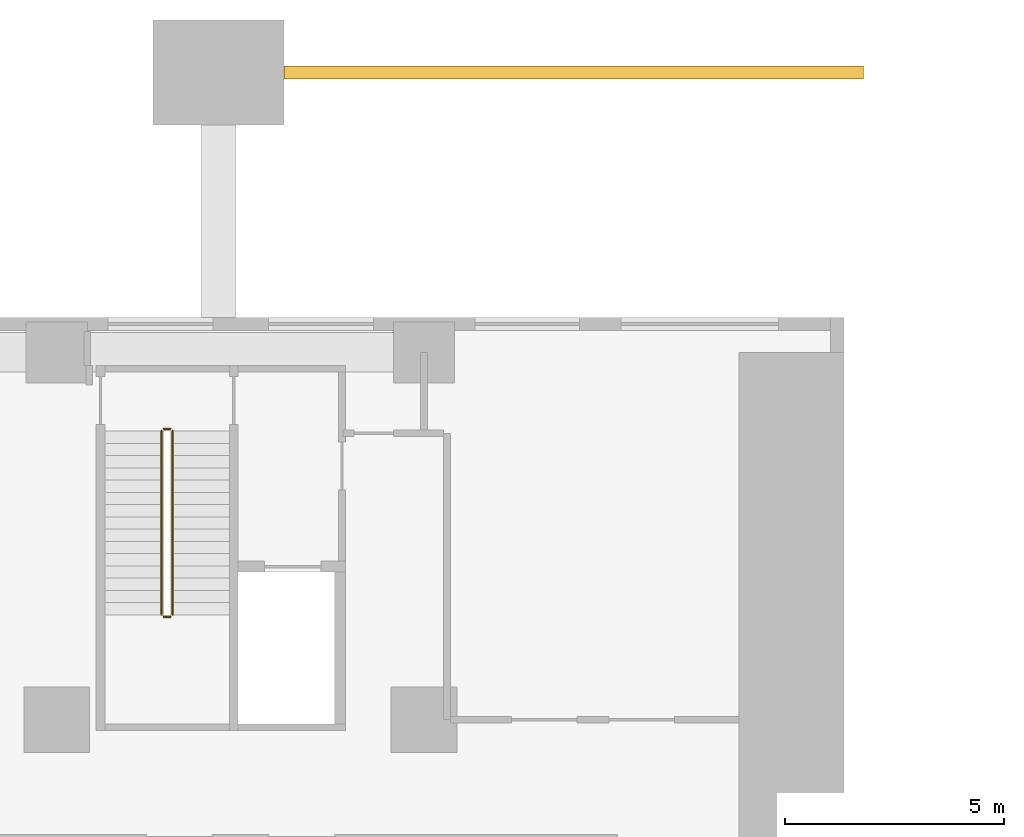
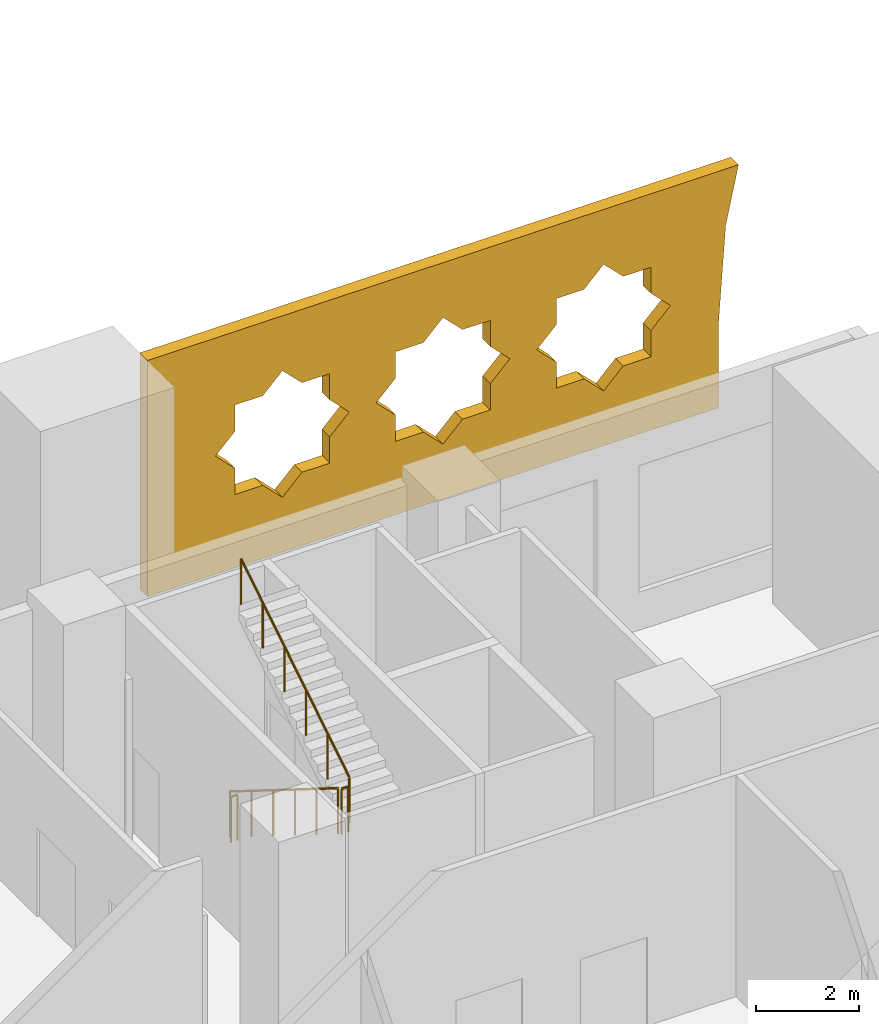
# One storey, part 16 of 17: 4 railings, 1 covering.
"""IFC4 building model written with IfcOpenShell, lengths in metres."""

from ifc_helpers import new_model, si_unit, direction, frame, origin, origin_2d, place, context, subcontext, project, spatial, polyline, circle, outline, extrude, material, layer, layer_set, type_object, element, save


model = new_model("IFC4")

# Units and contexts
model_context = context("Model", 3, precision=1e-05, world=origin(), true_north=direction((0.0, 1.0)))
body_context = subcontext(model_context, "Body", "Model", "MODEL_VIEW")
ifc_project = project(units=[si_unit("LENGTHUNIT", "METRE"), si_unit("AREAUNIT", "SQUARE_METRE"), si_unit("VOLUMEUNIT", "CUBIC_METRE"), si_unit("PLANEANGLEUNIT", "RADIAN"), si_unit("MASSUNIT", "GRAM", prefix="KILO")], contexts=[model_context])

# Site, building, storey
site_placement = place(None, origin())
site = spatial("IfcSite", under=ifc_project, at=site_placement, CompositionType="ELEMENT")
building_placement = place(site_placement, origin())
building = spatial("IfcBuilding", under=site, at=building_placement, Name="Kawkab Arch Medical Tower", CompositionType="ELEMENT")
storey_placement = place(building_placement, frame((0.0, 0.0, 7.0)))
storey = spatial("IfcBuildingStorey", under=building, at=storey_placement, Name="L02", CompositionType="ELEMENT", Elevation=7.0)

# Covering
ifc_material_1 = material(Name="Perforated bronze anodised aluminium, eight-point star pattern", Category="aluminium")
ifc_layer = layer(ifc_material_1, 0.300048828125)
ifc_layer_set = layer_set([ifc_layer], Name="Perforated bronze anodised aluminium, eight-point star pattern")
covering_type = type_object("IfcCoveringType", Name="Spandrel star screen 300", PredefinedType="USERDEFINED", material=ifc_layer_set)
covering_placement = place(storey_placement, frame((0.0, 6.550048828125, -7.0), z_axis=(0.0, -1.0, 0.0), x_axis=(1.0, 0.0, 0.0)))
element("IfcCovering", 1, at=covering_placement, inside=storey, type_object=covering_type, Name="Spandrel screen N 1.1", ObjectType="SCREEN", PredefinedType="USERDEFINED", context=body_context, shape_type="SweptSolid", body=[
    extrude(outline(polyline([(47.199951171875, 12.570068359375), (47.199951171875, 7.0), (60.0, 7.0), (60.0, 9.0), (60.158935546875, 11.256103515625), (60.447509765625, 12.60009765625), (47.201171875, 12.60009765625), (47.199951171875, 12.570068359375)]), holes=[polyline([(51.723876953125, 9.800048828125), (51.284423828125, 10.2392578125), (51.284423828125, 10.860595703125), (50.6630859375, 10.860595703125), (50.223876953125, 11.300048828125), (49.784423828125, 10.860595703125), (49.1630859375, 10.860595703125), (49.1630859375, 10.2392578125), (48.723876953125, 9.800048828125), (49.1630859375, 9.360595703125), (49.1630859375, 8.7392578125), (49.784423828125, 8.7392578125), (50.223876953125, 8.300048828125), (50.6630859375, 8.7392578125), (51.284423828125, 8.7392578125), (51.284423828125, 9.360595703125), (51.723876953125, 9.800048828125)]), polyline([(55.32373046875, 9.800048828125), (54.884521484375, 10.2392578125), (54.884521484375, 10.860595703125), (54.26318359375, 10.860595703125), (53.82373046875, 11.300048828125), (53.384521484375, 10.860595703125), (52.76318359375, 10.860595703125), (52.76318359375, 10.2392578125), (52.32373046875, 9.800048828125), (52.76318359375, 9.360595703125), (52.76318359375, 8.7392578125), (53.384521484375, 8.7392578125), (53.82373046875, 8.300048828125), (54.26318359375, 8.7392578125), (54.884521484375, 8.7392578125), (54.884521484375, 9.360595703125), (55.32373046875, 9.800048828125)]), polyline([(58.923828125, 9.800048828125), (58.484619140625, 10.2392578125), (58.484619140625, 10.860595703125), (57.863037109375, 10.860595703125), (57.423828125, 11.300048828125), (56.984619140625, 10.860595703125), (56.363037109375, 10.860595703125), (56.363037109375, 10.2392578125), (55.923828125, 9.800048828125), (56.363037109375, 9.360595703125), (56.363037109375, 8.7392578125), (56.984619140625, 8.7392578125), (57.423828125, 8.300048828125), (57.863037109375, 8.7392578125), (58.484619140625, 8.7392578125), (58.484619140625, 9.360595703125), (58.923828125, 9.800048828125)])]), origin(), (0.0, 0.0, 1.0), 0.300048828125),
])

# Railings
ifc_material_2 = material(Name="Stainless steel", Category="steel")
railing_type = type_object("IfcRailingType", Name="Stair guard 1100", PredefinedType="GUARDRAIL", material=ifc_material_2)
railing_1_placement = place(storey_placement, frame((44.39990234375, -1.800048828125, 0.175048828125)))
element("IfcRailing", 2, at=railing_1_placement, inside=storey, type_object=railing_type, Name="L02 ST5 stair guard 1", PredefinedType="GUARDRAIL", context=body_context, shape_type="SweptSolid", body=[
    extrude(circle(Radius=0.02392578125, at=origin_2d()), frame((0.0, 0.0, 1.076171875), z_axis=(0.0, -0.847995534698, 0.530003370869), x_axis=(1.0, 0.0, 0.0)), (0.0, 0.0, 1.0), 4.952880859375),
    extrude(circle(Radius=0.02099609375, at=origin_2d()), origin(), (0.0, 0.0, 1.0), 1.052001953125),
    extrude(circle(Radius=0.02099609375, at=origin_2d()), frame((0.0, -0.840087890625, 0.52490234375)), (0.0, 0.0, 1.0), 1.052001953125),
    extrude(circle(Radius=0.02099609375, at=origin_2d()), frame((0.0, -1.679931640625, 1.050048828125)), (0.0, 0.0, 1.0), 1.052001953125),
    extrude(circle(Radius=0.02099609375, at=origin_2d()), frame((0.0, -2.52001953125, 1.574951171875)), (0.0, 0.0, 1.0), 1.052001953125),
    extrude(circle(Radius=0.02099609375, at=origin_2d()), frame((0.0, -3.35986328125, 2.10009765625)), (0.0, 0.0, 1.0), 1.052001953125),
    extrude(circle(Radius=0.02099609375, at=origin_2d()), frame((0.0, -4.199951171875, 2.625)), (0.0, 0.0, 1.0), 1.052001953125),
])
railing_2_placement = place(storey_placement, frame((44.449951171875, -6.050048828125, 2.800048828125)))
element("IfcRailing", 3, at=railing_2_placement, inside=storey, type_object=railing_type, Name="L02 ST5 stair guard 2", PredefinedType="GUARDRAIL", context=body_context, shape_type="SweptSolid", body=[
    extrude(circle(Radius=0.02392578125, at=origin_2d()), frame((0.0, 0.0, 1.076171875), z_axis=(1.0, 0.0, 0.0), x_axis=(0.0, 1.0, 0.0)), (0.0, 0.0, 1.0), 0.150146484375),
    extrude(circle(Radius=0.02099609375, at=origin_2d()), origin(), (0.0, 0.0, 1.0), 1.052001953125),
    extrude(circle(Radius=0.02099609375, at=origin_2d()), frame((0.150146484375, 0.0, 0.0)), (0.0, 0.0, 1.0), 1.052001953125),
])
railing_3_placement = place(storey_placement, frame((44.64990234375, -6.0, 2.97509765625)))
element("IfcRailing", 4, at=railing_3_placement, inside=storey, type_object=railing_type, Name="L02 ST5 stair guard 3", PredefinedType="GUARDRAIL", context=body_context, shape_type="SweptSolid", body=[
    extrude(circle(Radius=0.02392578125, at=origin_2d()), frame((0.0, 0.0, 1.076171875), z_axis=(0.0, 0.847995534698, 0.530003370869), x_axis=(-1.0, 0.0, 0.0)), (0.0, 0.0, 1.0), 4.952880859375),
    extrude(circle(Radius=0.02099609375, at=origin_2d()), origin(), (0.0, 0.0, 1.0), 1.052001953125),
    extrude(circle(Radius=0.02099609375, at=origin_2d()), frame((0.0, 0.840087890625, 0.52490234375)), (0.0, 0.0, 1.0), 1.052001953125),
    extrude(circle(Radius=0.02099609375, at=origin_2d()), frame((0.0, 1.679931640625, 1.050048828125)), (0.0, 0.0, 1.0), 1.052001953125),
    extrude(circle(Radius=0.02099609375, at=origin_2d()), frame((0.0, 2.52001953125, 1.574951171875)), (0.0, 0.0, 1.0), 1.052001953125),
    extrude(circle(Radius=0.02099609375, at=origin_2d()), frame((0.0, 3.35986328125, 2.10009765625)), (0.0, 0.0, 1.0), 1.052001953125),
    extrude(circle(Radius=0.02099609375, at=origin_2d()), frame((0.0, 4.199951171875, 2.625)), (0.0, 0.0, 1.0), 1.052001953125),
])
railing_4_placement = place(storey_placement, frame((44.449951171875, -1.75, 0.0)))
element("IfcRailing", 5, at=railing_4_placement, inside=storey, type_object=railing_type, Name="L02 ST5 stair guard 4", PredefinedType="GUARDRAIL", context=body_context, shape_type="SweptSolid", body=[
    extrude(circle(Radius=0.02392578125, at=origin_2d()), frame((0.0, 0.0, 1.076171875), z_axis=(1.0, 0.0, 0.0), x_axis=(0.0, 1.0, 0.0)), (0.0, 0.0, 1.0), 0.150146484375),
    extrude(circle(Radius=0.02099609375, at=origin_2d()), origin(), (0.0, 0.0, 1.0), 1.052001953125),
    extrude(circle(Radius=0.02099609375, at=origin_2d()), frame((0.150146484375, 0.0, 0.0)), (0.0, 0.0, 1.0), 1.052001953125),
])

save(model, "model.ifc")
